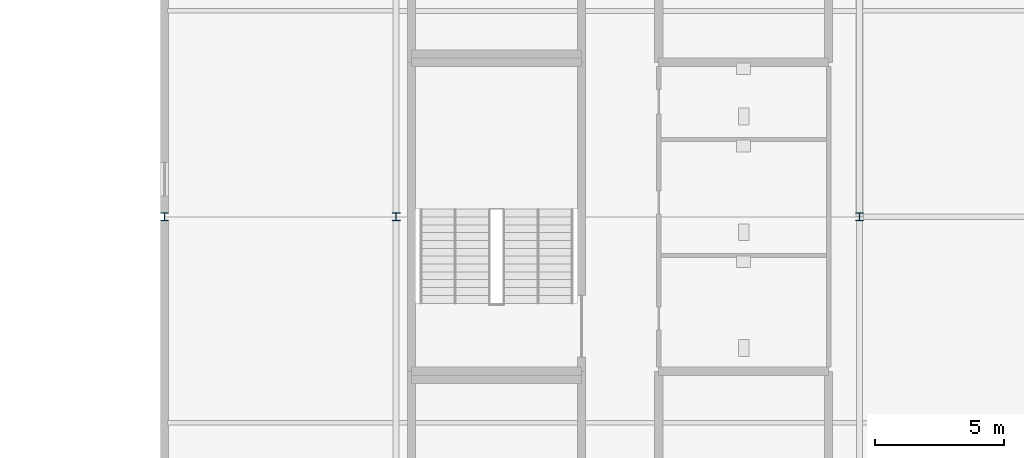
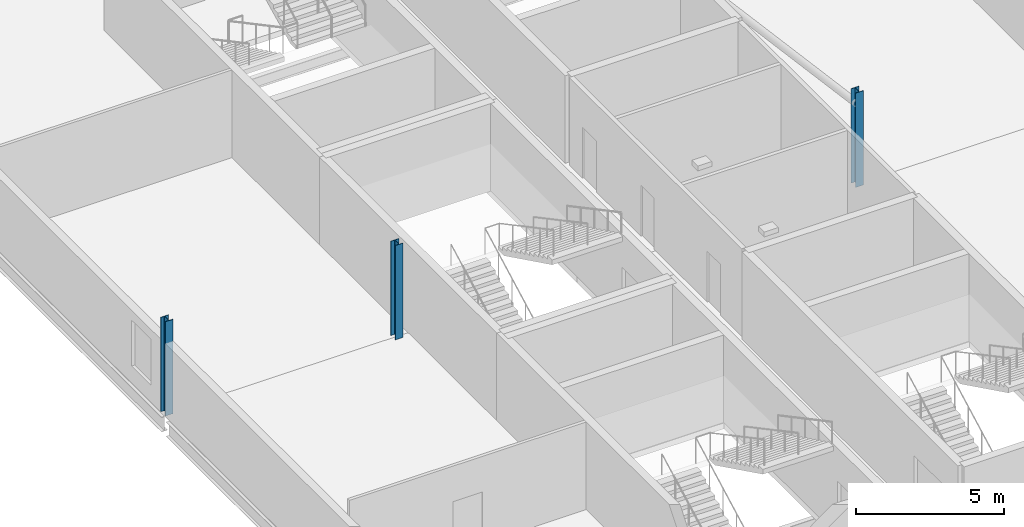
# One storey, part 7 of 31: 3 columns.
"""IFC4 building model written with IfcOpenShell, lengths in metres."""

import ifcopenshell
import ifcopenshell.guid

model = None  # the IFC model being written
_history = None  # IfcOwnerHistory: only IFC2X3 demands one
_inside = {}  # id of a spatial element -> (the spatial element, [elements in it])
_under = {}  # id of a project, library or spatial element -> (it, [spatial elements below it])
_declared = {}  # id of a project -> (the project, [libraries it declares])
_typed = {}  # id of a type object -> (the type object, [elements of that type])
_made_of = {}  # id of a material, layer set ... -> (it, [elements and type objects made of it])


def new_model(schema):
    """Start an empty IFC model of exactly this schema.

    Asked for "IFC4X3", IfcOpenShell would pick the latest addendum, in which some entities
    have other attributes; the version numbers below select the first issue.
    IFC2X3 requires an IfcOwnerHistory on every rooted entity: one is made here for all.
    """
    global model, _history
    if schema == "IFC4X3":
        model = ifcopenshell.file(schema_version=(4, 3, 0, 0))
    else:
        model = ifcopenshell.file(schema=schema)
    _inside.clear()
    _under.clear()
    _declared.clear()
    _typed.clear()
    _made_of.clear()
    _history = None
    if model.schema == "IFC2X3":
        org = make("IfcOrganization", Name="unknown")
        user = make(
            "IfcPersonAndOrganization",
            ThePerson=make("IfcPerson", FamilyName="unknown"),
            TheOrganization=org,
        )
        app = make(
            "IfcApplication",
            ApplicationDeveloper=org,
            Version="unknown",
            ApplicationFullName="unknown",
            ApplicationIdentifier="unknown",
        )
        _history = make(
            "IfcOwnerHistory",
            OwningUser=user,
            OwningApplication=app,
            ChangeAction="ADDED",
            CreationDate=0,
        )
    return model


def make(cls, **values):
    """One entity of the class cls with the attributes given. An attribute that is None is left unset."""
    return model.create_entity(
        cls, **{name: value for name, value in values.items() if value is not None}
    )


def rooted(cls, **values):
    """An entity with a GlobalId (a new one), such as an element, a storey or a relation."""
    return make(cls, GlobalId=ifcopenshell.guid.new(), OwnerHistory=_history, **values)


def si_unit(unit_type, name, prefix=None):
    """IfcSIUnit, for example si_unit("LENGTHUNIT", "METRE", prefix="MILLI")."""
    return make("IfcSIUnit", UnitType=unit_type, Prefix=prefix, Name=name)


def assignment(units):
    """IfcUnitAssignment: the units of a project."""
    return None if units is None else make("IfcUnitAssignment", Units=units)


def point(xyz):
    """IfcCartesianPoint."""
    return None if xyz is None else make("IfcCartesianPoint", Coordinates=xyz)


def direction(xyz):
    """IfcDirection."""
    return None if xyz is None else make("IfcDirection", DirectionRatios=xyz)


def frame(location, z_axis=None, x_axis=None):
    """IfcAxis2Placement3D, a coordinate frame: its origin and axes. An axis left out is left unset."""
    return make(
        "IfcAxis2Placement3D",
        Location=point(location),
        Axis=direction(z_axis),
        RefDirection=direction(x_axis),
    )


def frame_2d(location, x_axis=None):
    """IfcAxis2Placement2D, a coordinate frame in the plane: its origin and x axis."""
    return make(
        "IfcAxis2Placement2D", Location=point(location), RefDirection=direction(x_axis)
    )


def origin():
    """The frame at (0, 0, 0) with its axes left unset."""
    return frame((0.0, 0.0, 0.0))


def origin_2d():
    """The frame at (0, 0) in the plane with its x axis left unset."""
    return frame_2d((0.0, 0.0))


def place(relative_to, where):
    """IfcLocalPlacement: puts the frame where relative to a parent placement (None: the world)."""
    return make(
        "IfcLocalPlacement", PlacementRelTo=relative_to, RelativePlacement=where
    )


def context(
    kind, dimensions, precision=None, world=None, true_north=None, identifier=None
):
    """IfcGeometricRepresentationContext, for example the 3D "Model" context."""
    return make(
        "IfcGeometricRepresentationContext",
        ContextIdentifier=identifier,
        ContextType=kind,
        CoordinateSpaceDimension=dimensions,
        Precision=precision,
        WorldCoordinateSystem=world,
        TrueNorth=true_north,
    )


def subcontext(parent, identifier, kind, view, scale=None):
    """IfcGeometricRepresentationSubContext, for example "Body" below "Model"."""
    return make(
        "IfcGeometricRepresentationSubContext",
        ContextIdentifier=identifier,
        ContextType=kind,
        ParentContext=parent,
        TargetScale=scale,
        TargetView=view,
    )


def project(units=None, contexts=None):
    """IfcProject with its units and contexts."""
    return rooted(
        "IfcProject",
        Name="project",
        RepresentationContexts=contexts,
        UnitsInContext=assignment(units),
    )


def spatial(cls, under=None, at=None, **own):
    """A site, building, storey or space (cls), placed at a placement, below another one or the project."""
    s = rooted(cls, ObjectPlacement=at, **own)
    if under is not None:
        _under.setdefault(under.id(), (under, []))[1].append(s)
    return s


def profile(cls, at=None, kind="AREA", **sizes):
    """A parametric profile (cls). Its sizes go by their IFC names, for example OverallWidth=200.0."""
    return make(cls, ProfileType=kind, Position=at, **sizes)


def i_section(**sizes):
    """IfcIShapeProfileDef."""
    return profile("IfcIShapeProfileDef", **sizes)


def extrude(swept, where, along, depth):
    """IfcExtrudedAreaSolid: the profile swept, set in the frame where, extruded along a direction by depth."""
    return make(
        "IfcExtrudedAreaSolid",
        SweptArea=swept,
        Position=where,
        ExtrudedDirection=direction(along),
        Depth=depth,
    )


def shape(context_of_items, identifier, shape_type, items):
    """IfcShapeRepresentation: the items that make up one representation, for example the "Body"."""
    return make(
        "IfcShapeRepresentation",
        ContextOfItems=context_of_items,
        RepresentationIdentifier=identifier,
        RepresentationType=shape_type,
        Items=items,
    )


def material(Name=None, Category=None):
    """IfcMaterial."""
    return make("IfcMaterial", Name=Name, Category=Category)


def material_profile(
    of_material, cross_section, Name=None, Category=None, Priority=None
):
    """IfcMaterialProfile: a cross section and its material."""
    return make(
        "IfcMaterialProfile",
        Name=Name,
        Material=of_material,
        Profile=cross_section,
        Priority=Priority,
        Category=Category,
    )


def profile_set(profiles, Name=None, composite=None):
    """IfcMaterialProfileSet."""
    return make(
        "IfcMaterialProfileSet",
        Name=Name,
        MaterialProfiles=profiles,
        CompositeProfile=composite,
    )


def made_of(thing, what):
    """Note that an element or type object is made of a material, layer set ...; save() writes the relation."""
    if what is not None:
        _made_of.setdefault(what.id(), (what, []))[1].append(thing)
    return thing


def type_object(cls, material=None, **own):
    """A type object (cls), such as IfcWallType, which elements share."""
    return made_of(rooted(cls, **own), material)


def element(
    cls,
    number,
    at=None,
    inside=None,
    cuts=None,
    type_object=None,
    material=None,
    context=None,
    identifier="Body",
    shape_type=None,
    held_by="IfcProductDefinitionShape",
    body=None,
    shapes=None,
    **own,
):
    """One element of the class cls, such as IfcWall. Its Tag is "e" and its number.

    at: its placement. inside: the storey or other place that contains it. cuts: it is an
    opening in that element (IfcRelVoidsElement). A single representation is given by context,
    identifier, shape_type and body (its items); several are given by shapes. held_by: the class
    of the entity that holds the representations. save() writes the other relations.
    """
    e = rooted(cls, Tag="e%d" % number, ObjectPlacement=at, **own)
    if body is not None:
        shapes = [shape(context, identifier, shape_type, body)]
    if shapes is not None:
        e.Representation = make(held_by, Representations=shapes)
    if inside is not None:
        _inside.setdefault(inside.id(), (inside, []))[1].append(e)
    if cuts is not None:
        rooted(
            "IfcRelVoidsElement", RelatingBuildingElement=cuts, RelatedOpeningElement=e
        )
    if type_object is not None:
        _typed.setdefault(type_object.id(), (type_object, []))[1].append(e)
    return made_of(e, material)


def aggregate(whole, parts):
    """IfcRelAggregates: a whole, such as a stair, and the parts it consists of."""
    return rooted("IfcRelAggregates", RelatingObject=whole, RelatedObjects=parts)


def save(model, path):
    """Write the relations noted so far, then the file.

    IfcRelAggregates (storeys below a building ...), IfcRelContainedInSpatialStructure (elements
    in a storey), IfcRelDefinesByType, IfcRelAssociatesMaterial and IfcRelDeclares: one each for
    every whole, place, type object, material and project.
    """
    for whole, parts in _under.values():
        aggregate(whole, parts)
    for where, things in _inside.values():
        rooted(
            "IfcRelContainedInSpatialStructure",
            RelatedElements=things,
            RelatingStructure=where,
        )
    for kind, things in _typed.values():
        rooted("IfcRelDefinesByType", RelatedObjects=things, RelatingType=kind)
    for what, things in _made_of.values():
        rooted("IfcRelAssociatesMaterial", RelatedObjects=things, RelatingMaterial=what)
    for by, libraries in _declared.values():
        rooted("IfcRelDeclares", RelatingContext=by, RelatedDefinitions=libraries)
    model.write(path)


model = new_model("IFC4")

# Units and contexts
model_context = context("Model", 3, precision=1e-05, world=origin(), true_north=direction((0.0, 1.0)))
body_context = subcontext(model_context, "Body", "Model", "MODEL_VIEW")
ifc_project = project(units=[si_unit("LENGTHUNIT", "METRE"), si_unit("AREAUNIT", "SQUARE_METRE"), si_unit("VOLUMEUNIT", "CUBIC_METRE"), si_unit("PLANEANGLEUNIT", "RADIAN"), si_unit("MASSUNIT", "GRAM", prefix="KILO")], contexts=[model_context])

# Site, building, storey
site_placement = place(None, origin())
site = spatial("IfcSite", under=ifc_project, at=site_placement, CompositionType="ELEMENT")
building_placement = place(site_placement, origin())
building = spatial("IfcBuilding", under=site, at=building_placement, Name="Kisiwana Market Hall", CompositionType="ELEMENT")
storey_placement = place(building_placement, frame((0.0, 0.0, 45.60009765625)))
storey = spatial("IfcBuildingStorey", under=building, at=storey_placement, Name="L10", CompositionType="ELEMENT", Elevation=45.60009765625)

# Columns
ifc_material_1 = material(Name="Steel S355", Category="steel")
ifc_material_profile_1 = material_profile(ifc_material_1, i_section(OverallWidth=0.300048828125, OverallDepth=0.320068359375, WebThickness=0.011474609375, FlangeThickness=0.0205078125, FilletRadius=0.027099609375, at=origin_2d()), Name="HEB 320")
ifc_profile_set_1 = profile_set([ifc_material_profile_1], Name="Steel S355")
column_type_1 = type_object("IfcColumnType", Name="COL-STL-HEB320", PredefinedType="COLUMN", material=ifc_profile_set_1)
column_placement = place(storey_placement, frame((162.0, 60.0, 0.0), z_axis=(0.0, 0.0, 1.0), x_axis=(1.0, 0.0, 0.0)))
element("IfcColumn", 1, at=column_placement, inside=storey, type_object=column_type_1, Name="Column H/19 (L10) C-1264", PredefinedType="COLUMN", context=body_context, shape_type="SweptSolid", body=[
    extrude(i_section(OverallWidth=0.300048828125, OverallDepth=0.320068359375, WebThickness=0.011474609375, FlangeThickness=0.0205078125, FilletRadius=0.027099609375, at=origin_2d()), origin(), (0.0, 0.0, 1.0), 3.89990234375),
])
ifc_material_2 = material(Name="Steel S355", Category="steel")
ifc_material_profile_2 = material_profile(ifc_material_2, i_section(OverallWidth=0.307373046875, OverallDepth=0.314453125, WebThickness=0.011962890625, FlangeThickness=0.018798828125, FilletRadius=0.01513671875, at=origin_2d()), Name="UC 305x305x118")
ifc_profile_set_2 = profile_set([ifc_material_profile_2], Name="Steel S355")
column_type_2 = type_object("IfcColumnType", Name="COL-STL-UC118", PredefinedType="COLUMN", material=ifc_profile_set_2)
for number, where, z_axis, x_axis, name in (
    (2, (171.0, 60.0, 0.0), (0.0, 0.0, 1.0), (1.0, 0.0, 0.0), "Column H/20 (L10) C-1301"),
    (3, (189.0, 60.0, 0.0), (0.0, 0.0, 1.0), (1.0, 0.0, 0.0), "Column H/22 (L10) C-1265"),
):
    element("IfcColumn", number, at=place(storey_placement, frame(where, z_axis=z_axis, x_axis=x_axis)), inside=storey, type_object=column_type_2, Name=name, PredefinedType="COLUMN", context=body_context, shape_type="SweptSolid", body=[
        extrude(i_section(OverallWidth=0.307373046875, OverallDepth=0.314453125, WebThickness=0.011962890625, FlangeThickness=0.018798828125, FilletRadius=0.01513671875, at=origin_2d()), origin(), (0.0, 0.0, 1.0), 3.89990234375),
    ])

save(model, "model.ifc")
